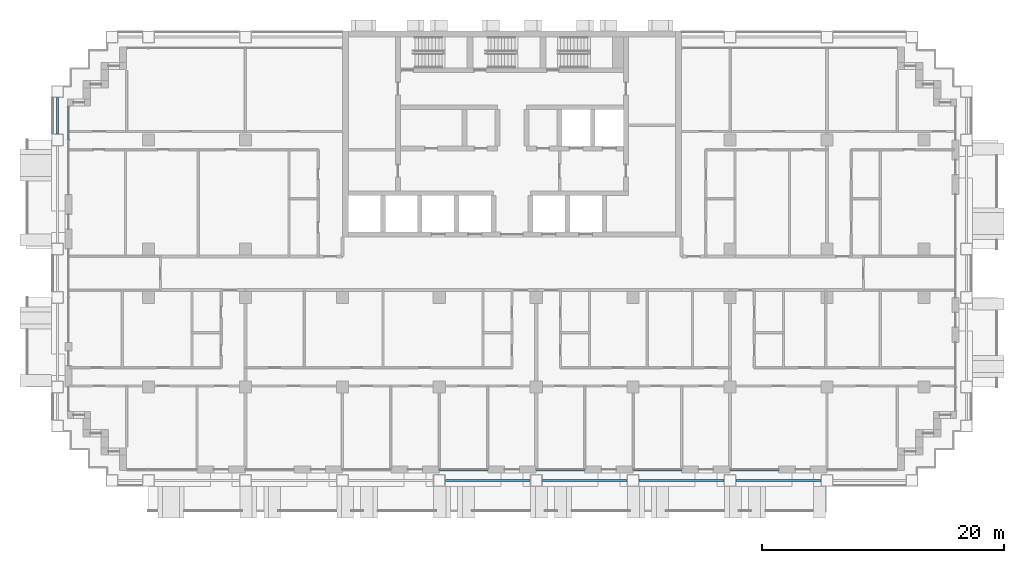
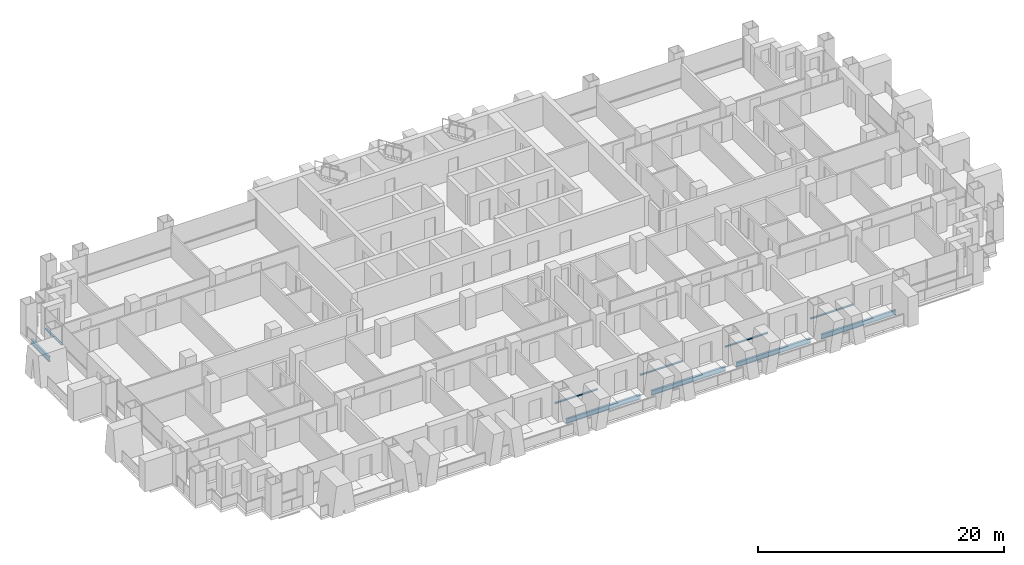
# One storey, part 3 of 18: 5 beams, 5 members, 5 elements without a shape of their own.
"""IFC4 building model written with IfcOpenShell, lengths in metres."""

from ifc_helpers import new_model, si_unit, direction, frame, origin, origin_2d, place, context, subcontext, project, spatial, rectangle, i_section, extrude, material, material_profile, profile_set, type_object, element, aggregate, save


model = new_model("IFC4")

# Units and contexts
model_context = context("Model", 3, precision=1e-05, world=origin(), true_north=direction((0.0, 1.0)))
body_context = subcontext(model_context, "Body", "Model", "MODEL_VIEW")
ifc_project = project(units=[si_unit("LENGTHUNIT", "METRE"), si_unit("AREAUNIT", "SQUARE_METRE"), si_unit("VOLUMEUNIT", "CUBIC_METRE"), si_unit("PLANEANGLEUNIT", "RADIAN"), si_unit("MASSUNIT", "GRAM", prefix="KILO")], contexts=[model_context])

# Site, building, storey
site_placement = place(None, origin())
site = spatial("IfcSite", under=ifc_project, at=site_placement, CompositionType="ELEMENT")
building_placement = place(site_placement, origin())
building = spatial("IfcBuilding", under=site, at=building_placement, Name="Vidyagriha Tower", CompositionType="ELEMENT")
storey_placement = place(building_placement, frame((0.0, 0.0, 48.0)))
storey = spatial("IfcBuildingStorey", under=building, at=storey_placement, Name="L12", CompositionType="ELEMENT", Elevation=48.0)

# Beams
ifc_material_1 = material(Name="Steel ASTM A992 Grade 50", Category="steel")
ifc_material_profile_1 = material_profile(ifc_material_1, i_section(OverallWidth=0.19189453125, OverallDepth=0.46240234375, WebThickness=0.010498046875, FlangeThickness=0.017578125, at=origin_2d()), Name="W18X60")
ifc_profile_set_1 = profile_set([ifc_material_profile_1], Name="Steel ASTM A992 Grade 50")
beam_type = type_object("IfcBeamType", Name="Edge beam W18X60", PredefinedType="SPANDREL", material=ifc_profile_set_1)
for number, where, z_axis, x_axis, name in (
    (1, (-5.5, -17.10009765625, -0.51123046875), (1.0, 0.0, 0.0), (0.0, 1.0, 0.0), "st-beam-L12-S05"),
    (2, (2.5, -17.10009765625, -0.51123046875), (1.0, 0.0, 0.0), (0.0, 1.0, 0.0), "st-beam-L12-S06"),
    (3, (10.5, -17.10009765625, -0.51123046875), (1.0, 0.0, 0.0), (0.0, 1.0, 0.0), "st-beam-L12-S07"),
    (4, (18.5, -17.10009765625, -0.51123046875), (1.0, 0.0, 0.0), (0.0, 1.0, 0.0), "st-beam-L12-S08"),
):
    element("IfcBeam", number, at=place(storey_placement, frame(where, z_axis=z_axis, x_axis=x_axis)), inside=storey, type_object=beam_type, Name=name, PredefinedType="SPANDREL", context=body_context, shape_type="SweptSolid", body=[
        extrude(i_section(OverallWidth=0.19189453125, OverallDepth=0.46240234375, WebThickness=0.010498046875, FlangeThickness=0.017578125, at=origin_2d()), origin(), (0.0, 0.0, 1.0), 7.0),
    ])
beam_placement = place(storey_placement, frame((-37.5, 11.5, -0.51123046875), z_axis=(0.0, 1.0, 0.0), x_axis=(-1.0, 0.0, 0.0)))
element("IfcBeam", 5, at=beam_placement, inside=storey, type_object=beam_type, Name="st-beam-L12-W14", PredefinedType="SPANDREL", context=body_context, shape_type="SweptSolid", body=[
    extrude(i_section(OverallWidth=0.19189453125, OverallDepth=0.46240234375, WebThickness=0.010498046875, FlangeThickness=0.017578125, at=origin_2d()), origin(), (0.0, 0.0, 1.0), 3.0),
])

# Curtain wall, member
ifc_material_2 = material(Name="Aluminium and glass curtain wall", Category="aluminium")
curtain_wall_type = type_object("IfcCurtainWallType", Name="Dwelling skin unitised curtain wall", PredefinedType="USERDEFINED", material=ifc_material_2)
curtain_wall_1_placement = place(storey_placement, origin())
curtain_wall_1 = element("IfcCurtainWall", 6, at=curtain_wall_1_placement, inside=storey, type_object=curtain_wall_type, Name="CW1 dwelling skin", ObjectType="UNITISED", PredefinedType="USERDEFINED")
ifc_material_3 = material(Name="Aluminium black anodised", Category="aluminium")
ifc_material_profile_2 = material_profile(ifc_material_3, rectangle(XDim=0.159912109375, YDim=0.10009765625, at=origin_2d()), Name="Transom 100x160 black aluminium")
ifc_profile_set_2 = profile_set([ifc_material_profile_2], Name="Aluminium black anodised")
member_type = type_object("IfcMemberType", Name="Transom 100x160 black aluminium", PredefinedType="USERDEFINED", material=ifc_profile_set_2)
member_1_placement = place(storey_placement, frame((-36.60009765625, 13.72998046875, 0.89990234375), z_axis=(0.0, -1.0, 0.0), x_axis=(1.0, 0.0, 0.0)))
member_1 = element("IfcMember", 7, at=member_1_placement, type_object=member_type, Name="CW1 transom 1.1", ObjectType="TRANSOM", PredefinedType="USERDEFINED", context=body_context, shape_type="SweptSolid", body=[
    extrude(rectangle(XDim=0.159912109375, YDim=0.10009765625, at=origin_2d()), origin(), (0.0, 0.0, 1.0), 2.695068359375),
])
aggregate(curtain_wall_1, [member_1])

curtain_wall_2_placement = place(storey_placement, origin())
curtain_wall_2 = element("IfcCurtainWall", 8, at=curtain_wall_2_placement, inside=storey, type_object=curtain_wall_type, Name="CW1 dwelling skin", ObjectType="UNITISED", PredefinedType="USERDEFINED")
member_2_placement = place(storey_placement, frame((-6.0, -16.199951171875, 0.89990234375), z_axis=(1.0, 0.0, 0.0), x_axis=(0.0, 1.0, 0.0)))
member_2 = element("IfcMember", 9, at=member_2_placement, type_object=member_type, Name="CW1 transom 1.1", ObjectType="TRANSOM", PredefinedType="USERDEFINED", context=body_context, shape_type="SweptSolid", body=[
    extrude(rectangle(XDim=0.159912109375, YDim=0.10009765625, at=origin_2d()), origin(), (0.0, 0.0, 1.0), 4.0),
])
aggregate(curtain_wall_2, [member_2])

curtain_wall_3_placement = place(storey_placement, origin())
curtain_wall_3 = element("IfcCurtainWall", 10, at=curtain_wall_3_placement, inside=storey, type_object=curtain_wall_type, Name="CW1 dwelling skin", ObjectType="UNITISED", PredefinedType="USERDEFINED")
member_3_placement = place(storey_placement, frame((2.0, -16.199951171875, 0.89990234375), z_axis=(1.0, 0.0, 0.0), x_axis=(0.0, 1.0, 0.0)))
member_3 = element("IfcMember", 11, at=member_3_placement, type_object=member_type, Name="CW1 transom 1.1", ObjectType="TRANSOM", PredefinedType="USERDEFINED", context=body_context, shape_type="SweptSolid", body=[
    extrude(rectangle(XDim=0.159912109375, YDim=0.10009765625, at=origin_2d()), origin(), (0.0, 0.0, 1.0), 4.0),
])
aggregate(curtain_wall_3, [member_3])

curtain_wall_4_placement = place(storey_placement, origin())
curtain_wall_4 = element("IfcCurtainWall", 12, at=curtain_wall_4_placement, inside=storey, type_object=curtain_wall_type, Name="CW1 dwelling skin", ObjectType="UNITISED", PredefinedType="USERDEFINED")
member_4_placement = place(storey_placement, frame((10.0, -16.199951171875, 0.89990234375), z_axis=(1.0, 0.0, 0.0), x_axis=(0.0, 1.0, 0.0)))
member_4 = element("IfcMember", 13, at=member_4_placement, type_object=member_type, Name="CW1 transom 1.1", ObjectType="TRANSOM", PredefinedType="USERDEFINED", context=body_context, shape_type="SweptSolid", body=[
    extrude(rectangle(XDim=0.159912109375, YDim=0.10009765625, at=origin_2d()), origin(), (0.0, 0.0, 1.0), 4.0),
])
aggregate(curtain_wall_4, [member_4])

curtain_wall_5_placement = place(storey_placement, origin())
curtain_wall_5 = element("IfcCurtainWall", 14, at=curtain_wall_5_placement, inside=storey, type_object=curtain_wall_type, Name="CW1 dwelling skin", ObjectType="UNITISED", PredefinedType="USERDEFINED")
member_5_placement = place(storey_placement, frame((18.0, -16.199951171875, 0.89990234375), z_axis=(1.0, 0.0, 0.0), x_axis=(0.0, 1.0, 0.0)))
member_5 = element("IfcMember", 15, at=member_5_placement, type_object=member_type, Name="CW1 transom 1.1", ObjectType="TRANSOM", PredefinedType="USERDEFINED", context=body_context, shape_type="SweptSolid", body=[
    extrude(rectangle(XDim=0.159912109375, YDim=0.10009765625, at=origin_2d()), origin(), (0.0, 0.0, 1.0), 4.0),
])
aggregate(curtain_wall_5, [member_5])

save(model, "model.ifc")
